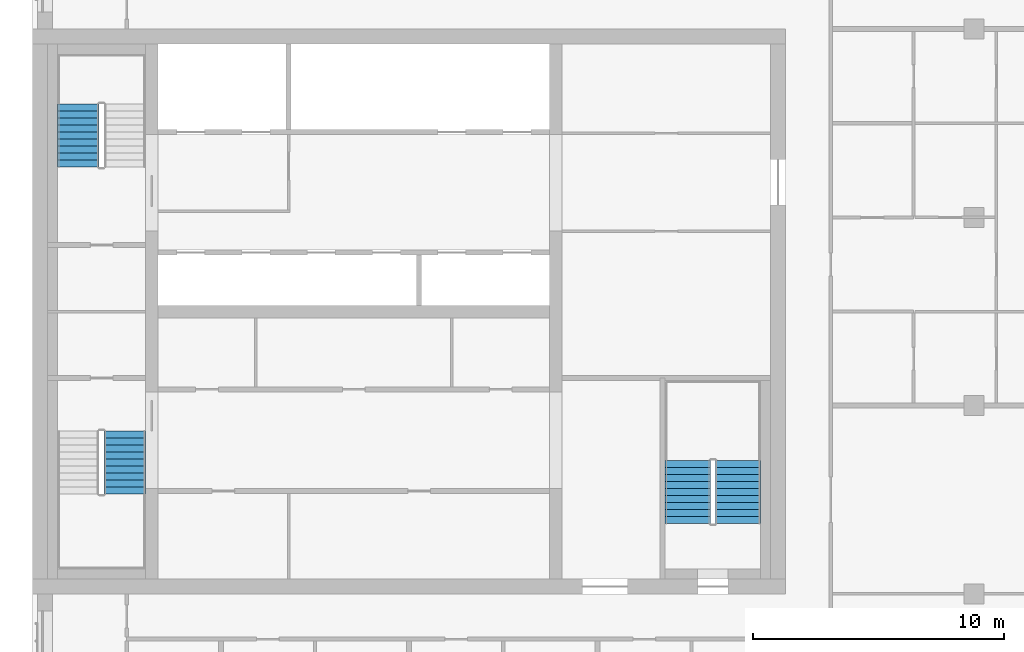
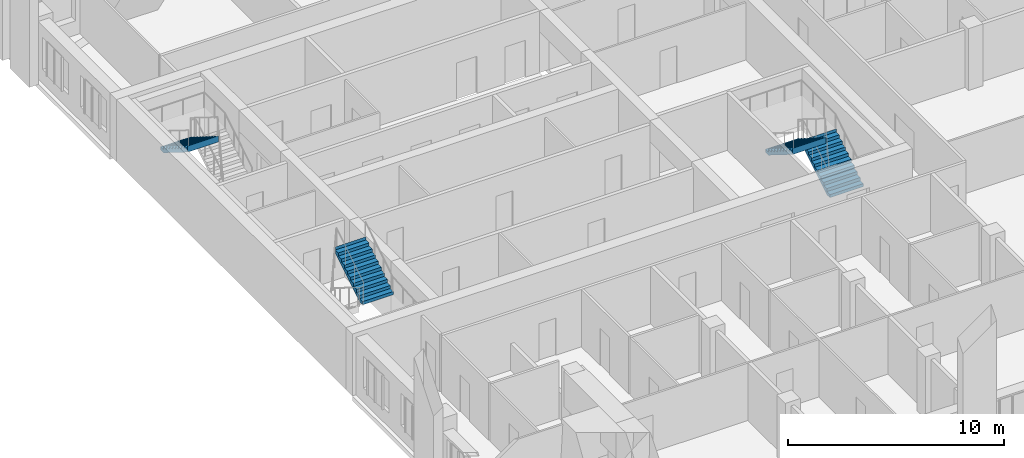
# One storey, part 9 of 12: 4 stair flights, 3 elements without a shape of their own.
"""IFC4 building model written with IfcOpenShell, lengths in metres."""

from ifc_helpers import new_model, si_unit, direction, frame, origin, place, context, subcontext, project, spatial, polyline, outline, extrude, material, type_object, element, aggregate, save


model = new_model("IFC4")

# Units and contexts
model_context = context("Model", 3, precision=1e-05, world=origin(), true_north=direction((0.0, 1.0)))
body_context = subcontext(model_context, "Body", "Model", "MODEL_VIEW")
ifc_project = project(units=[si_unit("LENGTHUNIT", "METRE"), si_unit("AREAUNIT", "SQUARE_METRE"), si_unit("VOLUMEUNIT", "CUBIC_METRE"), si_unit("PLANEANGLEUNIT", "RADIAN"), si_unit("MASSUNIT", "GRAM", prefix="KILO")], contexts=[model_context])

# Site, building, storey
site_placement = place(None, origin())
site = spatial("IfcSite", under=ifc_project, at=site_placement, CompositionType="ELEMENT")
building_placement = place(site_placement, origin())
building = spatial("IfcBuilding", under=site, at=building_placement, Name="Tamorin Gate", CompositionType="ELEMENT")
storey_placement = place(building_placement, frame((0.0, 0.0, 219.699951171875)))
storey = spatial("IfcBuildingStorey", under=building, at=storey_placement, Name="L54", CompositionType="ELEMENT", Elevation=219.699951171875)

# Stair, stair flight
ifc_material = material(Name="Concrete C40/50", Category="concrete")
stair_type = type_object("IfcStairType", Name="Exit stair", PredefinedType="HALF_TURN_STAIR", material=ifc_material)
stair_1_placement = place(storey_placement, origin())
stair_1 = element("IfcStair", 1, at=stair_1_placement, inside=storey, type_object=stair_type, Name="L54 stair ST1", PredefinedType="HALF_TURN_STAIR")
stair_flight_type = type_object("IfcStairFlightType", Name="Exit stair flight", PredefinedType="STRAIGHT", material=ifc_material)
stair_flight_1_placement = place(storey_placement, frame((33.675048828125, 63.97998046875, 1.75), z_axis=(0.0, 0.0, 1.0), x_axis=(0.0, 1.0, 0.0)))
stair_flight_1 = element("IfcStairFlight", 2, at=stair_flight_1_placement, type_object=stair_flight_type, Name="ST1 flight 2", NumberOfRisers=10, NumberOfTreads=9, PredefinedType="STRAIGHT", RiserHeight=0.175, TreadLength=0.28, context=body_context, shape_type="SweptSolid", body=[
    extrude(outline(polyline([(-0.00048828125, 0.0), (-0.00048828125, 0.001708984375), (-0.00048828125, 0.00341796875), (-0.00048828125, 0.005126953125), (-0.00048828125, 0.0068359375), (-0.00048828125, 0.008544921875), (-0.00048828125, 0.010498046875), (-0.00048828125, 0.01220703125), (-0.00048828125, 0.013916015625), (-0.00048828125, 0.015625), (-0.00048828125, 0.017333984375), (-0.00048828125, 0.01904296875), (-0.00048828125, 0.020751953125), (-0.00048828125, 0.0224609375), (-0.00048828125, 0.024169921875), (-0.00048828125, 0.02587890625), (-0.00048828125, 0.02783203125), (-0.00048828125, 0.029541015625), (-0.00048828125, 0.03125), (-0.00048828125, 0.032958984375), (-0.00048828125, 0.03466796875), (-0.00048828125, 0.036376953125), (-0.00048828125, 0.0380859375), (-0.00048828125, 0.039794921875), (-0.00048828125, 0.04150390625), (-0.00048828125, 0.043212890625), (-0.00048828125, 0.045166015625), (-0.00048828125, 0.046875), (-0.00048828125, 0.048583984375), (-0.00048828125, 0.05029296875), (-0.00048828125, 0.052001953125), (-0.00048828125, 0.0537109375), (-0.00048828125, 0.055419921875), (-0.00048828125, 0.05712890625), (-0.00048828125, 0.058837890625), (-0.00048828125, 0.060546875), (-0.00048828125, 0.062255859375), (-0.00048828125, 0.064208984375), (-0.00048828125, 0.06591796875), (-0.00048828125, 0.067626953125), (-0.00048828125, 0.0693359375), (-0.00048828125, 0.071044921875), (-0.00048828125, 0.07275390625), (-0.00048828125, 0.074462890625), (-0.00048828125, 0.076171875), (-0.00048828125, 0.077880859375), (-0.00048828125, 0.07958984375), (-0.00048828125, 0.08154296875), (-0.00048828125, 0.083251953125), (-0.00048828125, 0.0849609375), (-0.00048828125, 0.086669921875), (-0.00048828125, 0.08837890625), (-0.00048828125, 0.090087890625), (-0.00048828125, 0.091796875), (-0.00048828125, 0.093505859375), (-0.00048828125, 0.09521484375), (-0.00048828125, 0.096923828125), (-0.00048828125, 0.098876953125), (-0.00048828125, 0.1005859375), (-0.00048828125, 0.102294921875), (-0.00048828125, 0.10400390625), (-0.00048828125, 0.105712890625), (-0.00048828125, 0.107421875), (-0.00048828125, 0.109130859375), (-0.00048828125, 0.11083984375), (-0.00048828125, 0.112548828125), (-0.00048828125, 0.1142578125), (-0.00048828125, 0.1162109375), (-0.00048828125, 0.117919921875), (-0.00048828125, 0.11962890625), (-0.00048828125, 0.121337890625), (-0.00048828125, 0.123046875), (-0.00048828125, 0.124755859375), (-0.00048828125, 0.12646484375), (-0.00048828125, 0.128173828125), (-0.00048828125, 0.1298828125), (-0.00048828125, 0.131591796875), (-0.00048828125, 0.13330078125), (-0.00048828125, 0.13525390625), (-0.00048828125, 0.136962890625), (-0.00048828125, 0.138671875), (-0.00048828125, 0.140380859375), (-0.00048828125, 0.14208984375), (-0.00048828125, 0.143798828125), (-0.00048828125, 0.1455078125), (-0.00048828125, 0.147216796875), (-0.00048828125, 0.14892578125), (-0.00048828125, 0.150634765625), (-0.00048828125, 0.152587890625), (-0.00048828125, 0.154296875), (-0.00048828125, 0.156005859375), (-0.00048828125, 0.15771484375), (-0.00048828125, 0.159423828125), (-0.00048828125, 0.1611328125), (-0.00048828125, 0.162841796875), (-0.00048828125, 0.16455078125), (-0.00048828125, 0.166259765625), (-0.00048828125, 0.16796875), (-0.00048828125, 0.169921875), (-0.00048828125, 0.171630859375), (-0.00048828125, 0.17333984375), (-0.00048828125, 0.175048828125), (0.280029296875, 0.175048828125), (0.280029296875, 0.35009765625), (0.56005859375, 0.35009765625), (0.56005859375, 0.52490234375), (0.840087890625, 0.52490234375), (0.840087890625, 0.699951171875), (1.1201171875, 0.699951171875), (1.1201171875, 0.875), (1.39990234375, 0.875), (1.39990234375, 1.050048828125), (1.679931640625, 1.050048828125), (1.679931640625, 1.22509765625), (1.9599609375, 1.22509765625), (1.9599609375, 1.39990234375), (2.239990234375, 1.39990234375), (2.239990234375, 1.574951171875), (2.52001953125, 1.574951171875), (2.52001953125, 1.75), (2.5205078125, 1.75), (2.5205078125, 1.74658203125), (2.5205078125, 1.742919921875), (2.5205078125, 1.739501953125), (2.5205078125, 1.736083984375), (2.5205078125, 1.732666015625), (2.5205078125, 1.72900390625), (2.5205078125, 1.7255859375), (2.5205078125, 1.72216796875), (2.5205078125, 1.71875), (2.5205078125, 1.715087890625), (2.5205078125, 1.711669921875), (2.5205078125, 1.708251953125), (2.5205078125, 1.704833984375), (2.5205078125, 1.701171875), (2.5205078125, 1.69775390625), (2.5205078125, 1.6943359375), (2.5205078125, 1.690673828125), (2.5205078125, 1.687255859375), (2.5205078125, 1.683837890625), (2.5205078125, 1.680419921875), (2.5205078125, 1.6767578125), (2.5205078125, 1.67333984375), (2.5205078125, 1.669921875), (2.5205078125, 1.66650390625), (2.5205078125, 1.662841796875), (2.5205078125, 1.659423828125), (2.5205078125, 1.656005859375), (2.5205078125, 1.652587890625), (2.5205078125, 1.64892578125), (2.5205078125, 1.6455078125), (2.5205078125, 1.64208984375), (2.5205078125, 1.638427734375), (2.5205078125, 1.635009765625), (2.5205078125, 1.631591796875), (2.5205078125, 1.628173828125), (2.5205078125, 1.62451171875), (2.5205078125, 1.62109375), (2.5205078125, 1.61767578125), (2.5205078125, 1.6142578125), (2.5205078125, 1.610595703125), (2.5205078125, 1.607177734375), (2.5205078125, 1.603759765625), (2.5205078125, 1.600341796875), (2.5205078125, 1.5966796875), (2.5205078125, 1.59326171875), (2.5205078125, 1.58984375), (2.5205078125, 1.58642578125), (2.5205078125, 1.582763671875), (2.5205078125, 1.579345703125), (2.5205078125, 1.575927734375), (2.5205078125, 1.572265625), (2.5205078125, 1.56884765625), (2.5205078125, 1.5654296875), (2.5205078125, 1.56201171875), (2.5205078125, 1.558349609375), (2.5205078125, 1.554931640625), (2.5205078125, 1.551513671875), (2.5205078125, 1.548095703125), (2.5205078125, 1.54443359375), (2.5205078125, 1.541015625), (2.5205078125, 1.53759765625), (2.5205078125, 1.5341796875), (2.5205078125, 1.530517578125), (2.5205078125, 1.527099609375), (2.5205078125, 1.523681640625), (2.5205078125, 1.52001953125), (2.5205078125, 1.5166015625), (2.5205078125, 1.51318359375), (2.5205078125, 1.509765625), (2.5205078125, 1.506103515625), (2.5205078125, 1.502685546875), (2.5205078125, 1.499267578125), (2.5205078125, 1.495849609375), (2.5205078125, 1.4921875), (2.5205078125, 1.48876953125), (2.5205078125, 1.4853515625), (2.5205078125, 1.48193359375), (2.5205078125, 1.478271484375), (2.5205078125, 1.474853515625), (2.5205078125, 1.471435546875), (2.5205078125, 1.4677734375), (2.5205078125, 1.46435546875), (2.5205078125, 1.4609375), (2.5205078125, 1.45751953125), (2.5205078125, 1.453857421875), (2.5205078125, 1.450439453125), (2.5205078125, 1.447021484375), (2.5205078125, 1.443603515625), (2.5205078125, 1.43994140625), (2.5205078125, 1.4365234375), (2.5205078125, 1.43310546875), (2.5205078125, 1.4296875), (2.5205078125, 1.426025390625), (2.5205078125, 1.422607421875), (2.5205078125, 1.419189453125), (2.5205078125, 1.41552734375), (2.5205078125, 1.412109375), (2.5205078125, 1.40869140625), (2.5205078125, 1.4052734375), (2.5205078125, 1.401611328125), (2.5205078125, 1.398193359375), (2.52001953125, 1.398193359375), (0.28271484375, 0.0), (-0.00048828125, 0.0)])), frame((0.0, 0.824951171875, 0.0), z_axis=(0.0, -1.0, 0.0), x_axis=(1.0, 0.0, 0.0)), (0.0, 0.0, 1.0), 1.64990234375),
])
aggregate(stair_1, [stair_flight_1])

stair_2_placement = place(storey_placement, origin())
stair_2 = element("IfcStair", 3, at=stair_2_placement, inside=storey, type_object=stair_type, Name="L54 stair ST2", PredefinedType="HALF_TURN_STAIR")
stair_flight_2_placement = place(storey_placement, frame((31.824951171875, 79.52001953125, 1.75), z_axis=(0.0, 0.0, 1.0), x_axis=(0.0, -1.0, 0.0)))
stair_flight_2 = element("IfcStairFlight", 4, at=stair_flight_2_placement, type_object=stair_flight_type, Name="ST2 flight 2", NumberOfRisers=10, NumberOfTreads=9, PredefinedType="STRAIGHT", RiserHeight=0.175, TreadLength=0.28, context=body_context, shape_type="SweptSolid", body=[
    extrude(outline(polyline([(-0.00048828125, 0.0), (-0.00048828125, 0.001708984375), (-0.00048828125, 0.00341796875), (-0.00048828125, 0.005126953125), (-0.00048828125, 0.0068359375), (-0.00048828125, 0.008544921875), (-0.00048828125, 0.010498046875), (-0.00048828125, 0.01220703125), (-0.00048828125, 0.013916015625), (-0.00048828125, 0.015625), (-0.00048828125, 0.017333984375), (-0.00048828125, 0.01904296875), (-0.00048828125, 0.020751953125), (-0.00048828125, 0.0224609375), (-0.00048828125, 0.024169921875), (-0.00048828125, 0.02587890625), (-0.00048828125, 0.02783203125), (-0.00048828125, 0.029541015625), (-0.00048828125, 0.03125), (-0.00048828125, 0.032958984375), (-0.00048828125, 0.03466796875), (-0.00048828125, 0.036376953125), (-0.00048828125, 0.0380859375), (-0.00048828125, 0.039794921875), (-0.00048828125, 0.04150390625), (-0.00048828125, 0.043212890625), (-0.00048828125, 0.045166015625), (-0.00048828125, 0.046875), (-0.00048828125, 0.048583984375), (-0.00048828125, 0.05029296875), (-0.00048828125, 0.052001953125), (-0.00048828125, 0.0537109375), (-0.00048828125, 0.055419921875), (-0.00048828125, 0.05712890625), (-0.00048828125, 0.058837890625), (-0.00048828125, 0.060546875), (-0.00048828125, 0.062255859375), (-0.00048828125, 0.064208984375), (-0.00048828125, 0.06591796875), (-0.00048828125, 0.067626953125), (-0.00048828125, 0.0693359375), (-0.00048828125, 0.071044921875), (-0.00048828125, 0.07275390625), (-0.00048828125, 0.074462890625), (-0.00048828125, 0.076171875), (-0.00048828125, 0.077880859375), (-0.00048828125, 0.07958984375), (-0.00048828125, 0.08154296875), (-0.00048828125, 0.083251953125), (-0.00048828125, 0.0849609375), (-0.00048828125, 0.086669921875), (-0.00048828125, 0.08837890625), (-0.00048828125, 0.090087890625), (-0.00048828125, 0.091796875), (-0.00048828125, 0.093505859375), (-0.00048828125, 0.09521484375), (-0.00048828125, 0.096923828125), (-0.00048828125, 0.098876953125), (-0.00048828125, 0.1005859375), (-0.00048828125, 0.102294921875), (-0.00048828125, 0.10400390625), (-0.00048828125, 0.105712890625), (-0.00048828125, 0.107421875), (-0.00048828125, 0.109130859375), (-0.00048828125, 0.11083984375), (-0.00048828125, 0.112548828125), (-0.00048828125, 0.1142578125), (-0.00048828125, 0.1162109375), (-0.00048828125, 0.117919921875), (-0.00048828125, 0.11962890625), (-0.00048828125, 0.121337890625), (-0.00048828125, 0.123046875), (-0.00048828125, 0.124755859375), (-0.00048828125, 0.12646484375), (-0.00048828125, 0.128173828125), (-0.00048828125, 0.1298828125), (-0.00048828125, 0.131591796875), (-0.00048828125, 0.13330078125), (-0.00048828125, 0.13525390625), (-0.00048828125, 0.136962890625), (-0.00048828125, 0.138671875), (-0.00048828125, 0.140380859375), (-0.00048828125, 0.14208984375), (-0.00048828125, 0.143798828125), (-0.00048828125, 0.1455078125), (-0.00048828125, 0.147216796875), (-0.00048828125, 0.14892578125), (-0.00048828125, 0.150634765625), (-0.00048828125, 0.152587890625), (-0.00048828125, 0.154296875), (-0.00048828125, 0.156005859375), (-0.00048828125, 0.15771484375), (-0.00048828125, 0.159423828125), (-0.00048828125, 0.1611328125), (-0.00048828125, 0.162841796875), (-0.00048828125, 0.16455078125), (-0.00048828125, 0.166259765625), (-0.00048828125, 0.16796875), (-0.00048828125, 0.169921875), (-0.00048828125, 0.171630859375), (-0.00048828125, 0.17333984375), (-0.00048828125, 0.175048828125), (0.280029296875, 0.175048828125), (0.280029296875, 0.35009765625), (0.56005859375, 0.35009765625), (0.56005859375, 0.52490234375), (0.840087890625, 0.52490234375), (0.840087890625, 0.699951171875), (1.1201171875, 0.699951171875), (1.1201171875, 0.875), (1.39990234375, 0.875), (1.39990234375, 1.050048828125), (1.679931640625, 1.050048828125), (1.679931640625, 1.22509765625), (1.9599609375, 1.22509765625), (1.9599609375, 1.39990234375), (2.239990234375, 1.39990234375), (2.239990234375, 1.574951171875), (2.52001953125, 1.574951171875), (2.52001953125, 1.75), (2.5205078125, 1.75), (2.5205078125, 1.74658203125), (2.5205078125, 1.742919921875), (2.5205078125, 1.739501953125), (2.5205078125, 1.736083984375), (2.5205078125, 1.732666015625), (2.5205078125, 1.72900390625), (2.5205078125, 1.7255859375), (2.5205078125, 1.72216796875), (2.5205078125, 1.71875), (2.5205078125, 1.715087890625), (2.5205078125, 1.711669921875), (2.5205078125, 1.708251953125), (2.5205078125, 1.704833984375), (2.5205078125, 1.701171875), (2.5205078125, 1.69775390625), (2.5205078125, 1.6943359375), (2.5205078125, 1.690673828125), (2.5205078125, 1.687255859375), (2.5205078125, 1.683837890625), (2.5205078125, 1.680419921875), (2.5205078125, 1.6767578125), (2.5205078125, 1.67333984375), (2.5205078125, 1.669921875), (2.5205078125, 1.66650390625), (2.5205078125, 1.662841796875), (2.5205078125, 1.659423828125), (2.5205078125, 1.656005859375), (2.5205078125, 1.652587890625), (2.5205078125, 1.64892578125), (2.5205078125, 1.6455078125), (2.5205078125, 1.64208984375), (2.5205078125, 1.638427734375), (2.5205078125, 1.635009765625), (2.5205078125, 1.631591796875), (2.5205078125, 1.628173828125), (2.5205078125, 1.62451171875), (2.5205078125, 1.62109375), (2.5205078125, 1.61767578125), (2.5205078125, 1.6142578125), (2.5205078125, 1.610595703125), (2.5205078125, 1.607177734375), (2.5205078125, 1.603759765625), (2.5205078125, 1.600341796875), (2.5205078125, 1.5966796875), (2.5205078125, 1.59326171875), (2.5205078125, 1.58984375), (2.5205078125, 1.58642578125), (2.5205078125, 1.582763671875), (2.5205078125, 1.579345703125), (2.5205078125, 1.575927734375), (2.5205078125, 1.572265625), (2.5205078125, 1.56884765625), (2.5205078125, 1.5654296875), (2.5205078125, 1.56201171875), (2.5205078125, 1.558349609375), (2.5205078125, 1.554931640625), (2.5205078125, 1.551513671875), (2.5205078125, 1.548095703125), (2.5205078125, 1.54443359375), (2.5205078125, 1.541015625), (2.5205078125, 1.53759765625), (2.5205078125, 1.5341796875), (2.5205078125, 1.530517578125), (2.5205078125, 1.527099609375), (2.5205078125, 1.523681640625), (2.5205078125, 1.52001953125), (2.5205078125, 1.5166015625), (2.5205078125, 1.51318359375), (2.5205078125, 1.509765625), (2.5205078125, 1.506103515625), (2.5205078125, 1.502685546875), (2.5205078125, 1.499267578125), (2.5205078125, 1.495849609375), (2.5205078125, 1.4921875), (2.5205078125, 1.48876953125), (2.5205078125, 1.4853515625), (2.5205078125, 1.48193359375), (2.5205078125, 1.478271484375), (2.5205078125, 1.474853515625), (2.5205078125, 1.471435546875), (2.5205078125, 1.4677734375), (2.5205078125, 1.46435546875), (2.5205078125, 1.4609375), (2.5205078125, 1.45751953125), (2.5205078125, 1.453857421875), (2.5205078125, 1.450439453125), (2.5205078125, 1.447021484375), (2.5205078125, 1.443603515625), (2.5205078125, 1.43994140625), (2.5205078125, 1.4365234375), (2.5205078125, 1.43310546875), (2.5205078125, 1.4296875), (2.5205078125, 1.426025390625), (2.5205078125, 1.422607421875), (2.5205078125, 1.419189453125), (2.5205078125, 1.41552734375), (2.5205078125, 1.412109375), (2.5205078125, 1.40869140625), (2.5205078125, 1.4052734375), (2.5205078125, 1.401611328125), (2.5205078125, 1.398193359375), (2.52001953125, 1.398193359375), (0.28271484375, 0.0), (-0.00048828125, 0.0)])), frame((0.0, 0.824951171875, 0.0), z_axis=(0.0, -1.0, 0.0), x_axis=(1.0, 0.0, 0.0)), (0.0, 0.0, 1.0), 1.64990234375),
])
aggregate(stair_2, [stair_flight_2])

# Stair, stair flights
stair_3_placement = place(storey_placement, origin())
stair_3 = element("IfcStair", 5, at=stair_3_placement, inside=storey, type_object=stair_type, Name="L54 stair ST3", PredefinedType="HALF_TURN_STAIR")
stair_flight_3_placement = place(storey_placement, frame((58.10009765625, 62.800048828125, 0.0), z_axis=(0.0, 0.0, 1.0), x_axis=(0.0, 1.0, 0.0)))
stair_flight_3 = element("IfcStairFlight", 6, at=stair_flight_3_placement, type_object=stair_flight_type, Name="ST3 flight 1", NumberOfRisers=10, NumberOfTreads=9, PredefinedType="STRAIGHT", RiserHeight=0.175, TreadLength=0.28, context=body_context, shape_type="SweptSolid", body=[
    extrude(outline(polyline([(-0.00048828125, 0.0), (-0.00048828125, 0.001708984375), (-0.00048828125, 0.00341796875), (-0.00048828125, 0.005126953125), (-0.00048828125, 0.0068359375), (-0.00048828125, 0.008544921875), (-0.00048828125, 0.010498046875), (-0.00048828125, 0.01220703125), (-0.00048828125, 0.013916015625), (-0.00048828125, 0.015625), (-0.00048828125, 0.017333984375), (-0.00048828125, 0.01904296875), (-0.00048828125, 0.020751953125), (-0.00048828125, 0.0224609375), (-0.00048828125, 0.024169921875), (-0.00048828125, 0.02587890625), (-0.00048828125, 0.02783203125), (-0.00048828125, 0.029541015625), (-0.00048828125, 0.03125), (-0.00048828125, 0.032958984375), (-0.00048828125, 0.03466796875), (-0.00048828125, 0.036376953125), (-0.00048828125, 0.0380859375), (-0.00048828125, 0.039794921875), (-0.00048828125, 0.04150390625), (-0.00048828125, 0.043212890625), (-0.00048828125, 0.045166015625), (-0.00048828125, 0.046875), (-0.00048828125, 0.048583984375), (-0.00048828125, 0.05029296875), (-0.00048828125, 0.052001953125), (-0.00048828125, 0.0537109375), (-0.00048828125, 0.055419921875), (-0.00048828125, 0.05712890625), (-0.00048828125, 0.058837890625), (-0.00048828125, 0.060546875), (-0.00048828125, 0.062255859375), (-0.00048828125, 0.064208984375), (-0.00048828125, 0.06591796875), (-0.00048828125, 0.067626953125), (-0.00048828125, 0.0693359375), (-0.00048828125, 0.071044921875), (-0.00048828125, 0.07275390625), (-0.00048828125, 0.074462890625), (-0.00048828125, 0.076171875), (-0.00048828125, 0.077880859375), (-0.00048828125, 0.07958984375), (-0.00048828125, 0.08154296875), (-0.00048828125, 0.083251953125), (-0.00048828125, 0.0849609375), (-0.00048828125, 0.086669921875), (-0.00048828125, 0.08837890625), (-0.00048828125, 0.090087890625), (-0.00048828125, 0.091796875), (-0.00048828125, 0.093505859375), (-0.00048828125, 0.09521484375), (-0.00048828125, 0.096923828125), (-0.00048828125, 0.098876953125), (-0.00048828125, 0.1005859375), (-0.00048828125, 0.102294921875), (-0.00048828125, 0.10400390625), (-0.00048828125, 0.105712890625), (-0.00048828125, 0.107421875), (-0.00048828125, 0.109130859375), (-0.00048828125, 0.11083984375), (-0.00048828125, 0.112548828125), (-0.00048828125, 0.1142578125), (-0.00048828125, 0.1162109375), (-0.00048828125, 0.117919921875), (-0.00048828125, 0.11962890625), (-0.00048828125, 0.121337890625), (-0.00048828125, 0.123046875), (-0.00048828125, 0.124755859375), (-0.00048828125, 0.12646484375), (-0.00048828125, 0.128173828125), (-0.00048828125, 0.1298828125), (-0.00048828125, 0.131591796875), (-0.00048828125, 0.13330078125), (-0.00048828125, 0.13525390625), (-0.00048828125, 0.136962890625), (-0.00048828125, 0.138671875), (-0.00048828125, 0.140380859375), (-0.00048828125, 0.14208984375), (-0.00048828125, 0.143798828125), (-0.00048828125, 0.1455078125), (-0.00048828125, 0.147216796875), (-0.00048828125, 0.14892578125), (-0.00048828125, 0.150634765625), (-0.00048828125, 0.152587890625), (-0.00048828125, 0.154296875), (-0.00048828125, 0.156005859375), (-0.00048828125, 0.15771484375), (-0.00048828125, 0.159423828125), (-0.00048828125, 0.1611328125), (-0.00048828125, 0.162841796875), (-0.00048828125, 0.16455078125), (-0.00048828125, 0.166259765625), (-0.00048828125, 0.16796875), (-0.00048828125, 0.169921875), (-0.00048828125, 0.171630859375), (-0.00048828125, 0.17333984375), (-0.00048828125, 0.175048828125), (0.280029296875, 0.175048828125), (0.280029296875, 0.35009765625), (0.56005859375, 0.35009765625), (0.56005859375, 0.52490234375), (0.840087890625, 0.52490234375), (0.840087890625, 0.699951171875), (1.1201171875, 0.699951171875), (1.1201171875, 0.875), (1.39990234375, 0.875), (1.39990234375, 1.050048828125), (1.679931640625, 1.050048828125), (1.679931640625, 1.22509765625), (1.9599609375, 1.22509765625), (1.9599609375, 1.39990234375), (2.239990234375, 1.39990234375), (2.239990234375, 1.574951171875), (2.52001953125, 1.574951171875), (2.52001953125, 1.75), (2.5205078125, 1.75), (2.5205078125, 1.74658203125), (2.5205078125, 1.742919921875), (2.5205078125, 1.739501953125), (2.5205078125, 1.736083984375), (2.5205078125, 1.732666015625), (2.5205078125, 1.72900390625), (2.5205078125, 1.7255859375), (2.5205078125, 1.72216796875), (2.5205078125, 1.71875), (2.5205078125, 1.715087890625), (2.5205078125, 1.711669921875), (2.5205078125, 1.708251953125), (2.5205078125, 1.704833984375), (2.5205078125, 1.701171875), (2.5205078125, 1.69775390625), (2.5205078125, 1.6943359375), (2.5205078125, 1.690673828125), (2.5205078125, 1.687255859375), (2.5205078125, 1.683837890625), (2.5205078125, 1.680419921875), (2.5205078125, 1.6767578125), (2.5205078125, 1.67333984375), (2.5205078125, 1.669921875), (2.5205078125, 1.66650390625), (2.5205078125, 1.662841796875), (2.5205078125, 1.659423828125), (2.5205078125, 1.656005859375), (2.5205078125, 1.652587890625), (2.5205078125, 1.64892578125), (2.5205078125, 1.6455078125), (2.5205078125, 1.64208984375), (2.5205078125, 1.638427734375), (2.5205078125, 1.635009765625), (2.5205078125, 1.631591796875), (2.5205078125, 1.628173828125), (2.5205078125, 1.62451171875), (2.5205078125, 1.62109375), (2.5205078125, 1.61767578125), (2.5205078125, 1.6142578125), (2.5205078125, 1.610595703125), (2.5205078125, 1.607177734375), (2.5205078125, 1.603759765625), (2.5205078125, 1.600341796875), (2.5205078125, 1.5966796875), (2.5205078125, 1.59326171875), (2.5205078125, 1.58984375), (2.5205078125, 1.58642578125), (2.5205078125, 1.582763671875), (2.5205078125, 1.579345703125), (2.5205078125, 1.575927734375), (2.5205078125, 1.572265625), (2.5205078125, 1.56884765625), (2.5205078125, 1.5654296875), (2.5205078125, 1.56201171875), (2.5205078125, 1.558349609375), (2.5205078125, 1.554931640625), (2.5205078125, 1.551513671875), (2.5205078125, 1.548095703125), (2.5205078125, 1.54443359375), (2.5205078125, 1.541015625), (2.5205078125, 1.53759765625), (2.5205078125, 1.5341796875), (2.5205078125, 1.530517578125), (2.5205078125, 1.527099609375), (2.5205078125, 1.523681640625), (2.5205078125, 1.52001953125), (2.5205078125, 1.5166015625), (2.5205078125, 1.51318359375), (2.5205078125, 1.509765625), (2.5205078125, 1.506103515625), (2.5205078125, 1.502685546875), (2.5205078125, 1.499267578125), (2.5205078125, 1.495849609375), (2.5205078125, 1.4921875), (2.5205078125, 1.48876953125), (2.5205078125, 1.4853515625), (2.5205078125, 1.48193359375), (2.5205078125, 1.478271484375), (2.5205078125, 1.474853515625), (2.5205078125, 1.471435546875), (2.5205078125, 1.4677734375), (2.5205078125, 1.46435546875), (2.5205078125, 1.4609375), (2.5205078125, 1.45751953125), (2.5205078125, 1.453857421875), (2.5205078125, 1.450439453125), (2.5205078125, 1.447021484375), (2.5205078125, 1.443603515625), (2.5205078125, 1.43994140625), (2.5205078125, 1.4365234375), (2.5205078125, 1.43310546875), (2.5205078125, 1.4296875), (2.5205078125, 1.426025390625), (2.5205078125, 1.422607421875), (2.5205078125, 1.419189453125), (2.5205078125, 1.41552734375), (2.5205078125, 1.412109375), (2.5205078125, 1.40869140625), (2.5205078125, 1.4052734375), (2.5205078125, 1.401611328125), (2.5205078125, 1.398193359375), (2.52001953125, 1.398193359375), (0.28271484375, 0.0), (-0.00048828125, 0.0)])), frame((0.0, 0.89990234375, 0.0), z_axis=(0.0, -1.0, 0.0), x_axis=(1.0, 0.0, 0.0)), (0.0, 0.0, 1.0), 1.800048828125),
])
stair_flight_4_placement = place(storey_placement, frame((56.10009765625, 65.320068359375, 1.75), z_axis=(0.0, 0.0, 1.0), x_axis=(0.0, -1.0, 0.0)))
stair_flight_4 = element("IfcStairFlight", 7, at=stair_flight_4_placement, type_object=stair_flight_type, Name="ST3 flight 2", NumberOfRisers=10, NumberOfTreads=9, PredefinedType="STRAIGHT", RiserHeight=0.175, TreadLength=0.28, context=body_context, shape_type="SweptSolid", body=[
    extrude(outline(polyline([(-0.00048828125, 0.0), (-0.00048828125, 0.001708984375), (-0.00048828125, 0.00341796875), (-0.00048828125, 0.005126953125), (-0.00048828125, 0.0068359375), (-0.00048828125, 0.008544921875), (-0.00048828125, 0.010498046875), (-0.00048828125, 0.01220703125), (-0.00048828125, 0.013916015625), (-0.00048828125, 0.015625), (-0.00048828125, 0.017333984375), (-0.00048828125, 0.01904296875), (-0.00048828125, 0.020751953125), (-0.00048828125, 0.0224609375), (-0.00048828125, 0.024169921875), (-0.00048828125, 0.02587890625), (-0.00048828125, 0.02783203125), (-0.00048828125, 0.029541015625), (-0.00048828125, 0.03125), (-0.00048828125, 0.032958984375), (-0.00048828125, 0.03466796875), (-0.00048828125, 0.036376953125), (-0.00048828125, 0.0380859375), (-0.00048828125, 0.039794921875), (-0.00048828125, 0.04150390625), (-0.00048828125, 0.043212890625), (-0.00048828125, 0.045166015625), (-0.00048828125, 0.046875), (-0.00048828125, 0.048583984375), (-0.00048828125, 0.05029296875), (-0.00048828125, 0.052001953125), (-0.00048828125, 0.0537109375), (-0.00048828125, 0.055419921875), (-0.00048828125, 0.05712890625), (-0.00048828125, 0.058837890625), (-0.00048828125, 0.060546875), (-0.00048828125, 0.062255859375), (-0.00048828125, 0.064208984375), (-0.00048828125, 0.06591796875), (-0.00048828125, 0.067626953125), (-0.00048828125, 0.0693359375), (-0.00048828125, 0.071044921875), (-0.00048828125, 0.07275390625), (-0.00048828125, 0.074462890625), (-0.00048828125, 0.076171875), (-0.00048828125, 0.077880859375), (-0.00048828125, 0.07958984375), (-0.00048828125, 0.08154296875), (-0.00048828125, 0.083251953125), (-0.00048828125, 0.0849609375), (-0.00048828125, 0.086669921875), (-0.00048828125, 0.08837890625), (-0.00048828125, 0.090087890625), (-0.00048828125, 0.091796875), (-0.00048828125, 0.093505859375), (-0.00048828125, 0.09521484375), (-0.00048828125, 0.096923828125), (-0.00048828125, 0.098876953125), (-0.00048828125, 0.1005859375), (-0.00048828125, 0.102294921875), (-0.00048828125, 0.10400390625), (-0.00048828125, 0.105712890625), (-0.00048828125, 0.107421875), (-0.00048828125, 0.109130859375), (-0.00048828125, 0.11083984375), (-0.00048828125, 0.112548828125), (-0.00048828125, 0.1142578125), (-0.00048828125, 0.1162109375), (-0.00048828125, 0.117919921875), (-0.00048828125, 0.11962890625), (-0.00048828125, 0.121337890625), (-0.00048828125, 0.123046875), (-0.00048828125, 0.124755859375), (-0.00048828125, 0.12646484375), (-0.00048828125, 0.128173828125), (-0.00048828125, 0.1298828125), (-0.00048828125, 0.131591796875), (-0.00048828125, 0.13330078125), (-0.00048828125, 0.13525390625), (-0.00048828125, 0.136962890625), (-0.00048828125, 0.138671875), (-0.00048828125, 0.140380859375), (-0.00048828125, 0.14208984375), (-0.00048828125, 0.143798828125), (-0.00048828125, 0.1455078125), (-0.00048828125, 0.147216796875), (-0.00048828125, 0.14892578125), (-0.00048828125, 0.150634765625), (-0.00048828125, 0.152587890625), (-0.00048828125, 0.154296875), (-0.00048828125, 0.156005859375), (-0.00048828125, 0.15771484375), (-0.00048828125, 0.159423828125), (-0.00048828125, 0.1611328125), (-0.00048828125, 0.162841796875), (-0.00048828125, 0.16455078125), (-0.00048828125, 0.166259765625), (-0.00048828125, 0.16796875), (-0.00048828125, 0.169921875), (-0.00048828125, 0.171630859375), (-0.00048828125, 0.17333984375), (-0.00048828125, 0.175048828125), (0.280029296875, 0.175048828125), (0.280029296875, 0.35009765625), (0.56005859375, 0.35009765625), (0.56005859375, 0.52490234375), (0.840087890625, 0.52490234375), (0.840087890625, 0.699951171875), (1.1201171875, 0.699951171875), (1.1201171875, 0.875), (1.39990234375, 0.875), (1.39990234375, 1.050048828125), (1.679931640625, 1.050048828125), (1.679931640625, 1.22509765625), (1.9599609375, 1.22509765625), (1.9599609375, 1.39990234375), (2.239990234375, 1.39990234375), (2.239990234375, 1.574951171875), (2.52001953125, 1.574951171875), (2.52001953125, 1.75), (2.5205078125, 1.75), (2.5205078125, 1.74658203125), (2.5205078125, 1.742919921875), (2.5205078125, 1.739501953125), (2.5205078125, 1.736083984375), (2.5205078125, 1.732666015625), (2.5205078125, 1.72900390625), (2.5205078125, 1.7255859375), (2.5205078125, 1.72216796875), (2.5205078125, 1.71875), (2.5205078125, 1.715087890625), (2.5205078125, 1.711669921875), (2.5205078125, 1.708251953125), (2.5205078125, 1.704833984375), (2.5205078125, 1.701171875), (2.5205078125, 1.69775390625), (2.5205078125, 1.6943359375), (2.5205078125, 1.690673828125), (2.5205078125, 1.687255859375), (2.5205078125, 1.683837890625), (2.5205078125, 1.680419921875), (2.5205078125, 1.6767578125), (2.5205078125, 1.67333984375), (2.5205078125, 1.669921875), (2.5205078125, 1.66650390625), (2.5205078125, 1.662841796875), (2.5205078125, 1.659423828125), (2.5205078125, 1.656005859375), (2.5205078125, 1.652587890625), (2.5205078125, 1.64892578125), (2.5205078125, 1.6455078125), (2.5205078125, 1.64208984375), (2.5205078125, 1.638427734375), (2.5205078125, 1.635009765625), (2.5205078125, 1.631591796875), (2.5205078125, 1.628173828125), (2.5205078125, 1.62451171875), (2.5205078125, 1.62109375), (2.5205078125, 1.61767578125), (2.5205078125, 1.6142578125), (2.5205078125, 1.610595703125), (2.5205078125, 1.607177734375), (2.5205078125, 1.603759765625), (2.5205078125, 1.600341796875), (2.5205078125, 1.5966796875), (2.5205078125, 1.59326171875), (2.5205078125, 1.58984375), (2.5205078125, 1.58642578125), (2.5205078125, 1.582763671875), (2.5205078125, 1.579345703125), (2.5205078125, 1.575927734375), (2.5205078125, 1.572265625), (2.5205078125, 1.56884765625), (2.5205078125, 1.5654296875), (2.5205078125, 1.56201171875), (2.5205078125, 1.558349609375), (2.5205078125, 1.554931640625), (2.5205078125, 1.551513671875), (2.5205078125, 1.548095703125), (2.5205078125, 1.54443359375), (2.5205078125, 1.541015625), (2.5205078125, 1.53759765625), (2.5205078125, 1.5341796875), (2.5205078125, 1.530517578125), (2.5205078125, 1.527099609375), (2.5205078125, 1.523681640625), (2.5205078125, 1.52001953125), (2.5205078125, 1.5166015625), (2.5205078125, 1.51318359375), (2.5205078125, 1.509765625), (2.5205078125, 1.506103515625), (2.5205078125, 1.502685546875), (2.5205078125, 1.499267578125), (2.5205078125, 1.495849609375), (2.5205078125, 1.4921875), (2.5205078125, 1.48876953125), (2.5205078125, 1.4853515625), (2.5205078125, 1.48193359375), (2.5205078125, 1.478271484375), (2.5205078125, 1.474853515625), (2.5205078125, 1.471435546875), (2.5205078125, 1.4677734375), (2.5205078125, 1.46435546875), (2.5205078125, 1.4609375), (2.5205078125, 1.45751953125), (2.5205078125, 1.453857421875), (2.5205078125, 1.450439453125), (2.5205078125, 1.447021484375), (2.5205078125, 1.443603515625), (2.5205078125, 1.43994140625), (2.5205078125, 1.4365234375), (2.5205078125, 1.43310546875), (2.5205078125, 1.4296875), (2.5205078125, 1.426025390625), (2.5205078125, 1.422607421875), (2.5205078125, 1.419189453125), (2.5205078125, 1.41552734375), (2.5205078125, 1.412109375), (2.5205078125, 1.40869140625), (2.5205078125, 1.4052734375), (2.5205078125, 1.401611328125), (2.5205078125, 1.398193359375), (2.52001953125, 1.398193359375), (0.28271484375, 0.0), (-0.00048828125, 0.0)])), frame((0.0, 0.89990234375, 0.0), z_axis=(0.0, -1.0, 0.0), x_axis=(1.0, 0.0, 0.0)), (0.0, 0.0, 1.0), 1.800048828125),
])
aggregate(stair_3, [stair_flight_3, stair_flight_4])

save(model, "model.ifc")
